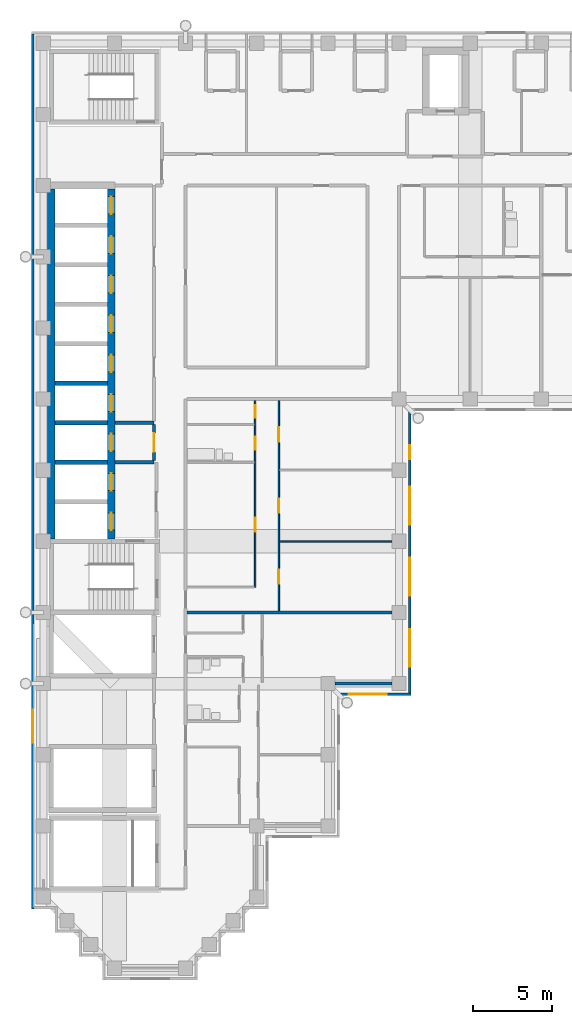
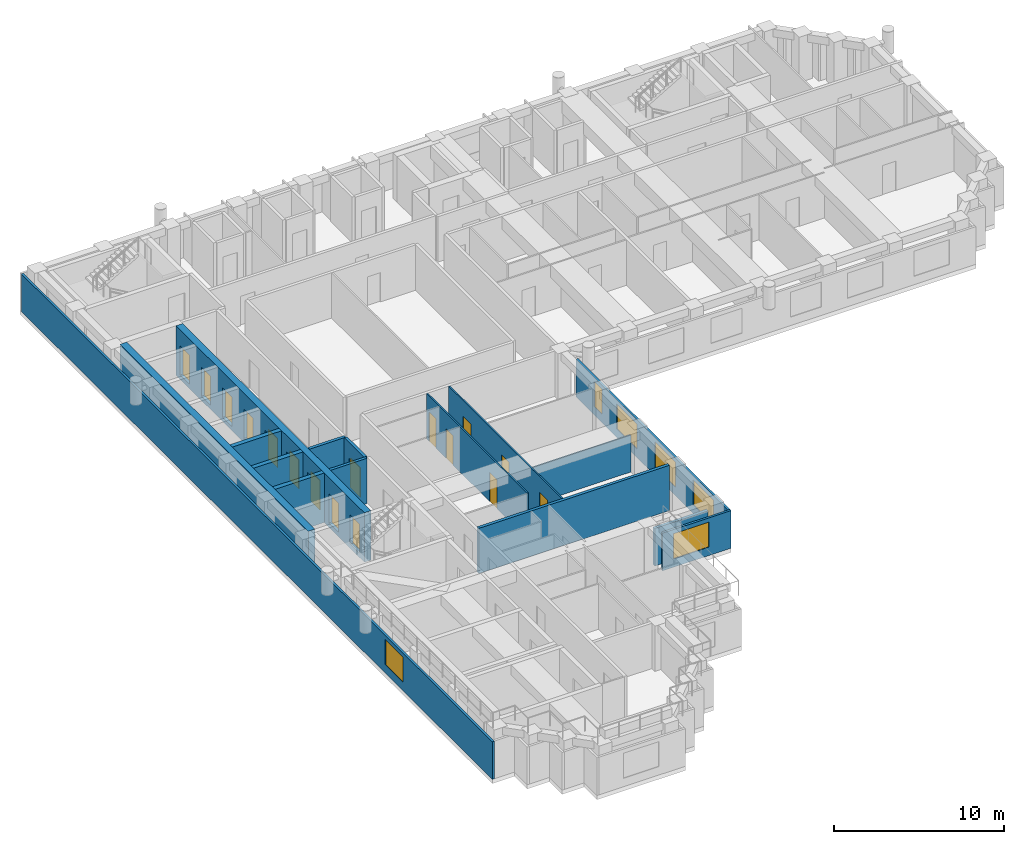
# One storey, part 4 of 11: 16 doors, 16 walls, 6 windows, 22 openings.
"""IFC4 building model written with IfcOpenShell, lengths in metres."""

from ifc_helpers import new_model, si_unit, direction, frame, frame_2d, origin, place, context, subcontext, project, spatial, rectangle, extrude, material, layer, layer_set, type_object, element, fill, save


model = new_model("IFC4")

# Units and contexts
model_context = context("Model", 3, precision=1e-05, world=origin(), true_north=direction((0.0, 1.0)))
body_context = subcontext(model_context, "Body", "Model", "MODEL_VIEW")
ifc_project = project(units=[si_unit("LENGTHUNIT", "METRE"), si_unit("AREAUNIT", "SQUARE_METRE"), si_unit("VOLUMEUNIT", "CUBIC_METRE"), si_unit("PLANEANGLEUNIT", "RADIAN"), si_unit("MASSUNIT", "GRAM", prefix="KILO")], contexts=[model_context])

# Site, building, storey
site_placement = place(None, origin())
site = spatial("IfcSite", under=ifc_project, at=site_placement, CompositionType="ELEMENT")
building_placement = place(site_placement, origin())
building = spatial("IfcBuilding", under=site, at=building_placement, Name="Firuza Court", CompositionType="ELEMENT")
storey_placement = place(building_placement, frame((0.0, 0.0, 207.800048828125)))
storey = spatial("IfcBuildingStorey", under=building, at=storey_placement, Name="L53", CompositionType="ELEMENT", Elevation=207.800048828125)

# Walls
ifc_material_1 = material(Name="Concrete C50/60", Category="concrete")
ifc_layer_1 = layer(ifc_material_1, 0.300048828125)
ifc_layer_set_1 = layer_set([ifc_layer_1], Name="Concrete C50/60")
wall_type_1 = type_object("IfcWallType", Name="Core wall 300 C50/60", PredefinedType="SHEAR", material=ifc_layer_set_1)
for number, where, z_axis, x_axis, name in (
    (1, (0.72509765625, 32.0, -0.300048828125), (0.0, 0.0, 1.0), (1.0, 0.0, 0.0), "Core wall lift shaft L53"),
    (2, (0.72509765625, 34.5, -0.300048828125), (0.0, 0.0, 1.0), (1.0, 0.0, 0.0), "Core wall lift shaft L53"),
    (3, (0.72509765625, 37.0, -0.300048828125), (0.0, 0.0, 1.0), (1.0, 0.0, 0.0), "Core wall lift shaft L53"),
):
    element("IfcWall", number, at=place(storey_placement, frame(where, z_axis=z_axis, x_axis=x_axis)), inside=storey, type_object=wall_type_1, Name=name, PredefinedType="SHEAR", context=body_context, shape_type="SweptSolid", body=[
        extrude(rectangle(XDim=3.349853515625, YDim=0.300048828125, at=frame_2d((1.6748046875, 0.0))), origin(), (0.0, 0.0, 1.0), 3.550048828125),
    ])
ifc_layer_2 = layer(ifc_material_1, 0.449951171875)
ifc_layer_set_2 = layer_set([ifc_layer_2], Name="Concrete C50/60")
wall_type_2 = type_object("IfcWallType", Name="Core wall 450 C50/60", PredefinedType="SHEAR", material=ifc_layer_set_2)
wall_1_placement = place(storey_placement, frame((0.5, 27.14990234375, -0.300048828125), z_axis=(0.0, 0.0, 1.0), x_axis=(0.0, 1.0, 0.0)))
element("IfcWall", 4, at=wall_1_placement, inside=storey, type_object=wall_type_2, Name="Core wall lift shaft L53", PredefinedType="SHEAR", context=body_context, shape_type="SweptSolid", body=[
    extrude(rectangle(XDim=22.125, YDim=0.449951171875, at=frame_2d((11.0625, 0.0))), origin(), (0.0, 0.0, 1.0), 3.550048828125),
])

# Wall, openings, doors
wall_2_placement = place(storey_placement, frame((4.300048828125, 27.14990234375, -0.300048828125), z_axis=(0.0, 0.0, 1.0), x_axis=(0.0, 1.0, 0.0)))
wall_2 = element("IfcWall", 5, at=wall_2_placement, inside=storey, type_object=wall_type_2, Name="Core wall lift shaft L53", PredefinedType="SHEAR", context=body_context, shape_type="SweptSolid", body=[
    extrude(rectangle(XDim=22.125, YDim=0.449951171875, at=frame_2d((11.0625, 0.0))), origin(), (0.0, 0.0, 1.0), 3.550048828125),
])
opening_1_placement = place(wall_2_placement, frame((3.050048828125, 0.0, 0.300048828125)))
opening_1 = element("IfcOpeningElement", 6, at=opening_1_placement, cuts=wall_2, Name="Opening LD-FL1-53", PredefinedType="OPENING", context=body_context, shape_type="SweptSolid", body=[
    extrude(rectangle(XDim=1.10009765625, YDim=2.10009765625, at=frame_2d((0.550048828125, 1.050048828125))), frame((0.0, 0.23681640625, 0.0), z_axis=(0.0, -1.0, 0.0), x_axis=(1.0, 0.0, 0.0)), (0.0, 0.0, 1.0), 0.473876953125),
])
opening_2_placement = place(wall_2_placement, frame((0.550048828125, 0.0, 0.300048828125)))
opening_2 = element("IfcOpeningElement", 7, at=opening_2_placement, cuts=wall_2, Name="Opening LD-FL2-53", PredefinedType="OPENING", context=body_context, shape_type="SweptSolid", body=[
    extrude(rectangle(XDim=1.10009765625, YDim=2.10009765625, at=frame_2d((0.550048828125, 1.050048828125))), frame((0.0, 0.23681640625, 0.0), z_axis=(0.0, -1.0, 0.0), x_axis=(1.0, 0.0, 0.0)), (0.0, 0.0, 1.0), 0.473876953125),
])
opening_3_placement = place(wall_2_placement, frame((20.550048828125, 0.0, 0.300048828125)))
opening_3 = element("IfcOpeningElement", 8, at=opening_3_placement, cuts=wall_2, Name="Opening LD-HB1-53", PredefinedType="OPENING", context=body_context, shape_type="SweptSolid", body=[
    extrude(rectangle(XDim=1.10009765625, YDim=2.10009765625, at=frame_2d((0.550048828125, 1.050048828125))), frame((0.0, 0.23681640625, 0.0), z_axis=(0.0, -1.0, 0.0), x_axis=(1.0, 0.0, 0.0)), (0.0, 0.0, 1.0), 0.473876953125),
])
opening_4_placement = place(wall_2_placement, frame((18.050048828125, 0.0, 0.300048828125)))
opening_4 = element("IfcOpeningElement", 9, at=opening_4_placement, cuts=wall_2, Name="Opening LD-HB2-53", PredefinedType="OPENING", context=body_context, shape_type="SweptSolid", body=[
    extrude(rectangle(XDim=1.10009765625, YDim=2.10009765625, at=frame_2d((0.550048828125, 1.050048828125))), frame((0.0, 0.23681640625, 0.0), z_axis=(0.0, -1.0, 0.0), x_axis=(1.0, 0.0, 0.0)), (0.0, 0.0, 1.0), 0.473876953125),
])
opening_5_placement = place(wall_2_placement, frame((15.550048828125, 0.0, 0.300048828125)))
opening_5 = element("IfcOpeningElement", 10, at=opening_5_placement, cuts=wall_2, Name="Opening LD-HB3-53", PredefinedType="OPENING", context=body_context, shape_type="SweptSolid", body=[
    extrude(rectangle(XDim=1.10009765625, YDim=2.10009765625, at=frame_2d((0.550048828125, 1.050048828125))), frame((0.0, 0.23681640625, 0.0), z_axis=(0.0, -1.0, 0.0), x_axis=(1.0, 0.0, 0.0)), (0.0, 0.0, 1.0), 0.473876953125),
])
opening_6_placement = place(wall_2_placement, frame((13.050048828125, 0.0, 0.300048828125)))
opening_6 = element("IfcOpeningElement", 11, at=opening_6_placement, cuts=wall_2, Name="Opening LD-HB4-53", PredefinedType="OPENING", context=body_context, shape_type="SweptSolid", body=[
    extrude(rectangle(XDim=1.10009765625, YDim=2.10009765625, at=frame_2d((0.550048828125, 1.050048828125))), frame((0.0, 0.23681640625, 0.0), z_axis=(0.0, -1.0, 0.0), x_axis=(1.0, 0.0, 0.0)), (0.0, 0.0, 1.0), 0.473876953125),
])
opening_7_placement = place(wall_2_placement, frame((10.550048828125, 0.0, 0.300048828125)))
opening_7 = element("IfcOpeningElement", 12, at=opening_7_placement, cuts=wall_2, Name="Opening LD-HB5-53", PredefinedType="OPENING", context=body_context, shape_type="SweptSolid", body=[
    extrude(rectangle(XDim=1.10009765625, YDim=2.10009765625, at=frame_2d((0.550048828125, 1.050048828125))), frame((0.0, 0.23681640625, 0.0), z_axis=(0.0, -1.0, 0.0), x_axis=(1.0, 0.0, 0.0)), (0.0, 0.0, 1.0), 0.473876953125),
])
opening_8_placement = place(wall_2_placement, frame((8.050048828125, 0.0, 0.300048828125)))
opening_8 = element("IfcOpeningElement", 13, at=opening_8_placement, cuts=wall_2, Name="Opening LD-HB6-53", PredefinedType="OPENING", context=body_context, shape_type="SweptSolid", body=[
    extrude(rectangle(XDim=1.10009765625, YDim=2.10009765625, at=frame_2d((0.550048828125, 1.050048828125))), frame((0.0, 0.23681640625, 0.0), z_axis=(0.0, -1.0, 0.0), x_axis=(1.0, 0.0, 0.0)), (0.0, 0.0, 1.0), 0.473876953125),
])
opening_9_placement = place(wall_2_placement, frame((5.550048828125, 0.0, 0.300048828125)))
opening_9 = element("IfcOpeningElement", 14, at=opening_9_placement, cuts=wall_2, Name="Opening LD-SL1-53", PredefinedType="OPENING", context=body_context, shape_type="SweptSolid", body=[
    extrude(rectangle(XDim=1.10009765625, YDim=2.10009765625, at=frame_2d((0.550048828125, 1.050048828125))), frame((0.0, 0.23681640625, 0.0), z_axis=(0.0, -1.0, 0.0), x_axis=(1.0, 0.0, 0.0)), (0.0, 0.0, 1.0), 0.473876953125),
])
ifc_material_2 = material(Name="Stainless steel 1.4301 door leaf", Category="steel")
door_type_1 = type_object("IfcDoorType", Name="Lift landing door 1100", OperationType="SLIDING_TO_LEFT", PredefinedType="DOOR", material=ifc_material_2)
door_1_placement = place(opening_1_placement, origin())
door_1 = element("IfcDoor", 15, at=door_1_placement, inside=storey, type_object=door_type_1, Name="Landing door FL1", OperationType="SLIDING_TO_LEFT", OverallHeight=2.10009765625, OverallWidth=1.10009765625, PredefinedType="DOOR", context=body_context, shape_type="SweptSolid", body=[
    extrude(rectangle(XDim=1.10009765625, YDim=2.10009765625, at=frame_2d((0.550048828125, 1.050048828125))), frame((0.0, 0.02490234375, 0.0), z_axis=(0.0, -1.0, 0.0), x_axis=(1.0, 0.0, 0.0)), (0.0, 0.0, 1.0), 0.050048828125),
])
fill(opening_1, door_1)
door_2_placement = place(opening_2_placement, origin())
door_2 = element("IfcDoor", 16, at=door_2_placement, inside=storey, type_object=door_type_1, Name="Landing door FL2", OperationType="SLIDING_TO_LEFT", OverallHeight=2.10009765625, OverallWidth=1.10009765625, PredefinedType="DOOR", context=body_context, shape_type="SweptSolid", body=[
    extrude(rectangle(XDim=1.10009765625, YDim=2.10009765625, at=frame_2d((0.550048828125, 1.050048828125))), frame((0.0, 0.02490234375, 0.0), z_axis=(0.0, -1.0, 0.0), x_axis=(1.0, 0.0, 0.0)), (0.0, 0.0, 1.0), 0.050048828125),
])
fill(opening_2, door_2)
door_3_placement = place(opening_3_placement, origin())
door_3 = element("IfcDoor", 17, at=door_3_placement, inside=storey, type_object=door_type_1, Name="Landing door HB1", OperationType="SLIDING_TO_LEFT", OverallHeight=2.10009765625, OverallWidth=1.10009765625, PredefinedType="DOOR", context=body_context, shape_type="SweptSolid", body=[
    extrude(rectangle(XDim=1.10009765625, YDim=2.10009765625, at=frame_2d((0.550048828125, 1.050048828125))), frame((0.0, 0.02490234375, 0.0), z_axis=(0.0, -1.0, 0.0), x_axis=(1.0, 0.0, 0.0)), (0.0, 0.0, 1.0), 0.050048828125),
])
fill(opening_3, door_3)
door_4_placement = place(opening_4_placement, origin())
door_4 = element("IfcDoor", 18, at=door_4_placement, inside=storey, type_object=door_type_1, Name="Landing door HB2", OperationType="SLIDING_TO_LEFT", OverallHeight=2.10009765625, OverallWidth=1.10009765625, PredefinedType="DOOR", context=body_context, shape_type="SweptSolid", body=[
    extrude(rectangle(XDim=1.10009765625, YDim=2.10009765625, at=frame_2d((0.550048828125, 1.050048828125))), frame((0.0, 0.02490234375, 0.0), z_axis=(0.0, -1.0, 0.0), x_axis=(1.0, 0.0, 0.0)), (0.0, 0.0, 1.0), 0.050048828125),
])
fill(opening_4, door_4)
door_5_placement = place(opening_5_placement, origin())
door_5 = element("IfcDoor", 19, at=door_5_placement, inside=storey, type_object=door_type_1, Name="Landing door HB3", OperationType="SLIDING_TO_LEFT", OverallHeight=2.10009765625, OverallWidth=1.10009765625, PredefinedType="DOOR", context=body_context, shape_type="SweptSolid", body=[
    extrude(rectangle(XDim=1.10009765625, YDim=2.10009765625, at=frame_2d((0.550048828125, 1.050048828125))), frame((0.0, 0.02490234375, 0.0), z_axis=(0.0, -1.0, 0.0), x_axis=(1.0, 0.0, 0.0)), (0.0, 0.0, 1.0), 0.050048828125),
])
fill(opening_5, door_5)
door_6_placement = place(opening_6_placement, origin())
door_6 = element("IfcDoor", 20, at=door_6_placement, inside=storey, type_object=door_type_1, Name="Landing door HB4", OperationType="SLIDING_TO_LEFT", OverallHeight=2.10009765625, OverallWidth=1.10009765625, PredefinedType="DOOR", context=body_context, shape_type="SweptSolid", body=[
    extrude(rectangle(XDim=1.10009765625, YDim=2.10009765625, at=frame_2d((0.550048828125, 1.050048828125))), frame((0.0, 0.02490234375, 0.0), z_axis=(0.0, -1.0, 0.0), x_axis=(1.0, 0.0, 0.0)), (0.0, 0.0, 1.0), 0.050048828125),
])
fill(opening_6, door_6)
door_7_placement = place(opening_7_placement, origin())
door_7 = element("IfcDoor", 21, at=door_7_placement, inside=storey, type_object=door_type_1, Name="Landing door HB5", OperationType="SLIDING_TO_LEFT", OverallHeight=2.10009765625, OverallWidth=1.10009765625, PredefinedType="DOOR", context=body_context, shape_type="SweptSolid", body=[
    extrude(rectangle(XDim=1.10009765625, YDim=2.10009765625, at=frame_2d((0.550048828125, 1.050048828125))), frame((0.0, 0.02490234375, 0.0), z_axis=(0.0, -1.0, 0.0), x_axis=(1.0, 0.0, 0.0)), (0.0, 0.0, 1.0), 0.050048828125),
])
fill(opening_7, door_7)
door_8_placement = place(opening_8_placement, origin())
door_8 = element("IfcDoor", 22, at=door_8_placement, inside=storey, type_object=door_type_1, Name="Landing door HB6", OperationType="SLIDING_TO_LEFT", OverallHeight=2.10009765625, OverallWidth=1.10009765625, PredefinedType="DOOR", context=body_context, shape_type="SweptSolid", body=[
    extrude(rectangle(XDim=1.10009765625, YDim=2.10009765625, at=frame_2d((0.550048828125, 1.050048828125))), frame((0.0, 0.02490234375, 0.0), z_axis=(0.0, -1.0, 0.0), x_axis=(1.0, 0.0, 0.0)), (0.0, 0.0, 1.0), 0.050048828125),
])
fill(opening_8, door_8)
door_9_placement = place(opening_9_placement, origin())
door_9 = element("IfcDoor", 23, at=door_9_placement, inside=storey, type_object=door_type_1, Name="Landing door SL1", OperationType="SLIDING_TO_LEFT", OverallHeight=2.10009765625, OverallWidth=1.10009765625, PredefinedType="DOOR", context=body_context, shape_type="SweptSolid", body=[
    extrude(rectangle(XDim=1.10009765625, YDim=2.10009765625, at=frame_2d((0.550048828125, 1.050048828125))), frame((0.0, 0.02490234375, 0.0), z_axis=(0.0, -1.0, 0.0), x_axis=(1.0, 0.0, 0.0)), (0.0, 0.0, 1.0), 0.050048828125),
])
fill(opening_9, door_9)

ifc_material_3 = material(Name="Timber stud partition, plasterboard both sides", Category="wood")
ifc_layer_3 = layer(ifc_material_3, 0.10009765625)
ifc_layer_set_3 = layer_set([ifc_layer_3], Name="Timber stud partition, plasterboard both sides")
wall_type_3 = type_object("IfcWallType", Name="Partition wall 100", PredefinedType="PARTITIONING", material=ifc_layer_set_3)
wall_3_placement = place(storey_placement, frame((14.89990234375, 22.60009765625, 0.0), z_axis=(0.0, 0.0, 1.0), x_axis=(0.0, 1.0, 0.0)))
wall_3 = element("IfcWall", 24, at=wall_3_placement, inside=storey, type_object=wall_type_3, Name="Partition wall 100 L53", PredefinedType="PARTITIONING", context=body_context, shape_type="SweptSolid", body=[
    extrude(rectangle(XDim=13.2998046875, YDim=0.10009765625, at=frame_2d((6.64990234375, 0.0))), origin(), (0.0, 0.0, 1.0), 3.25),
])
opening_10_placement = place(wall_3_placement, frame((1.699951171875, 0.0, 0.0)))
opening_10 = element("IfcOpeningElement", 25, at=opening_10_placement, cuts=wall_3, Name="Opening D53028", PredefinedType="OPENING", context=body_context, shape_type="SweptSolid", body=[
    extrude(rectangle(XDim=0.89990234375, YDim=2.10009765625, at=frame_2d((0.449951171875, 1.050048828125))), frame((0.0, 0.06201171875, 0.0), z_axis=(0.0, -1.0, 0.0), x_axis=(1.0, 0.0, 0.0)), (0.0, 0.0, 1.0), 0.1240234375),
])
opening_11_placement = place(wall_3_placement, frame((6.199951171875, 0.0, 0.0)))
opening_11 = element("IfcOpeningElement", 26, at=opening_11_placement, cuts=wall_3, Name="Opening D53029", PredefinedType="OPENING", context=body_context, shape_type="SweptSolid", body=[
    extrude(rectangle(XDim=0.89990234375, YDim=2.10009765625, at=frame_2d((0.449951171875, 1.050048828125))), frame((0.0, 0.06201171875, 0.0), z_axis=(0.0, -1.0, 0.0), x_axis=(1.0, 0.0, 0.0)), (0.0, 0.0, 1.0), 0.1240234375),
])
opening_12_placement = place(wall_3_placement, frame((10.699951171875, 0.0, 0.0)))
opening_12 = element("IfcOpeningElement", 27, at=opening_12_placement, cuts=wall_3, Name="Opening D53030", PredefinedType="OPENING", context=body_context, shape_type="SweptSolid", body=[
    extrude(rectangle(XDim=0.89990234375, YDim=2.10009765625, at=frame_2d((0.449951171875, 1.050048828125))), frame((0.0, 0.06201171875, 0.0), z_axis=(0.0, -1.0, 0.0), x_axis=(1.0, 0.0, 0.0)), (0.0, 0.0, 1.0), 0.1240234375),
])
ifc_material_4 = material(Name="Timber door leaf in hardwood frame", Category="wood")
door_type_2 = type_object("IfcDoorType", Name="Room door 900", OperationType="SINGLE_SWING_LEFT", PredefinedType="DOOR", material=ifc_material_4)
door_10_placement = place(opening_10_placement, frame((0.89990234375, 0.0, 0.0), z_axis=(0.0, 0.0, 1.0), x_axis=(-1.0, 0.0, 0.0)))
door_10 = element("IfcDoor", 28, at=door_10_placement, inside=storey, type_object=door_type_2, Name="Living room door", OperationType="SINGLE_SWING_RIGHT", OverallHeight=2.10009765625, OverallWidth=0.89990234375, PredefinedType="DOOR", context=body_context, shape_type="SweptSolid", body=[
    extrude(rectangle(XDim=0.89990234375, YDim=2.10009765625, at=frame_2d((0.449951171875, 1.050048828125))), frame((0.0, 0.02490234375, 0.0), z_axis=(0.0, -1.0, 0.0), x_axis=(1.0, 0.0, 0.0)), (0.0, 0.0, 1.0), 0.050048828125),
])
fill(opening_10, door_10)
door_11_placement = place(opening_11_placement, frame((0.89990234375, 0.0, 0.0), z_axis=(0.0, 0.0, 1.0), x_axis=(-1.0, 0.0, 0.0)))
door_11 = element("IfcDoor", 29, at=door_11_placement, inside=storey, type_object=door_type_2, Name="Bedroom door", OperationType="SINGLE_SWING_RIGHT", OverallHeight=2.10009765625, OverallWidth=0.89990234375, PredefinedType="DOOR", context=body_context, shape_type="SweptSolid", body=[
    extrude(rectangle(XDim=0.89990234375, YDim=2.10009765625, at=frame_2d((0.449951171875, 1.050048828125))), frame((0.0, 0.02490234375, 0.0), z_axis=(0.0, -1.0, 0.0), x_axis=(1.0, 0.0, 0.0)), (0.0, 0.0, 1.0), 0.050048828125),
])
fill(opening_11, door_11)
door_12_placement = place(opening_12_placement, frame((0.89990234375, 0.0, 0.0), z_axis=(0.0, 0.0, 1.0), x_axis=(-1.0, 0.0, 0.0)))
door_12 = element("IfcDoor", 30, at=door_12_placement, inside=storey, type_object=door_type_2, Name="Bedroom door", OperationType="SINGLE_SWING_RIGHT", OverallHeight=2.10009765625, OverallWidth=0.89990234375, PredefinedType="DOOR", context=body_context, shape_type="SweptSolid", body=[
    extrude(rectangle(XDim=0.89990234375, YDim=2.10009765625, at=frame_2d((0.449951171875, 1.050048828125))), frame((0.0, 0.02490234375, 0.0), z_axis=(0.0, -1.0, 0.0), x_axis=(1.0, 0.0, 0.0)), (0.0, 0.0, 1.0), 0.050048828125),
])
fill(opening_12, door_12)

wall_4_placement = place(storey_placement, frame((13.39990234375, 24.10009765625, 0.0), z_axis=(0.0, 0.0, 1.0), x_axis=(0.0, 1.0, 0.0)))
wall_4 = element("IfcWall", 31, at=wall_4_placement, inside=storey, type_object=wall_type_3, Name="Partition wall 100 L53", PredefinedType="PARTITIONING", context=body_context, shape_type="SweptSolid", body=[
    extrude(rectangle(XDim=11.7998046875, YDim=0.10009765625, at=frame_2d((5.89990234375, 0.0))), origin(), (0.0, 0.0, 1.0), 3.25),
])
opening_13_placement = place(wall_4_placement, frame((8.699951171875, 0.0, 0.0)))
opening_13 = element("IfcOpeningElement", 32, at=opening_13_placement, cuts=wall_4, Name="Opening D53031", PredefinedType="OPENING", context=body_context, shape_type="SweptSolid", body=[
    extrude(rectangle(XDim=0.800048828125, YDim=2.10009765625, at=frame_2d((0.39990234375, 1.050048828125))), frame((0.0, 0.06201171875, 0.0), z_axis=(0.0, -1.0, 0.0), x_axis=(1.0, 0.0, 0.0)), (0.0, 0.0, 1.0), 0.1240234375),
])
opening_14_placement = place(wall_4_placement, frame((3.5, 0.0, 0.0)))
opening_14 = element("IfcOpeningElement", 33, at=opening_14_placement, cuts=wall_4, Name="Opening D53032", PredefinedType="OPENING", context=body_context, shape_type="SweptSolid", body=[
    extrude(rectangle(XDim=0.89990234375, YDim=2.10009765625, at=frame_2d((0.449951171875, 1.050048828125))), frame((0.0, 0.06201171875, 0.0), z_axis=(0.0, -1.0, 0.0), x_axis=(1.0, 0.0, 0.0)), (0.0, 0.0, 1.0), 0.1240234375),
])
opening_15_placement = place(wall_4_placement, frame((10.699951171875, 0.0, 0.0)))
opening_15 = element("IfcOpeningElement", 34, at=opening_15_placement, cuts=wall_4, Name="Opening D53033", PredefinedType="OPENING", context=body_context, shape_type="SweptSolid", body=[
    extrude(rectangle(XDim=0.800048828125, YDim=2.10009765625, at=frame_2d((0.39990234375, 1.050048828125))), frame((0.0, 0.06201171875, 0.0), z_axis=(0.0, -1.0, 0.0), x_axis=(1.0, 0.0, 0.0)), (0.0, 0.0, 1.0), 0.1240234375),
])
ifc_material_5 = material(Name="Timber door leaf in hardwood frame", Category="wood")
door_type_3 = type_object("IfcDoorType", Name="Bathroom door 800", OperationType="SINGLE_SWING_LEFT", PredefinedType="DOOR", material=ifc_material_5)
door_13_placement = place(opening_13_placement, origin())
door_13 = element("IfcDoor", 35, at=door_13_placement, inside=storey, type_object=door_type_3, Name="Bathroom door", OperationType="SINGLE_SWING_LEFT", OverallHeight=2.10009765625, OverallWidth=0.800048828125, PredefinedType="DOOR", context=body_context, shape_type="SweptSolid", body=[
    extrude(rectangle(XDim=0.800048828125, YDim=2.10009765625, at=frame_2d((0.39990234375, 1.050048828125))), frame((0.0, 0.02490234375, 0.0), z_axis=(0.0, -1.0, 0.0), x_axis=(1.0, 0.0, 0.0)), (0.0, 0.0, 1.0), 0.050048828125),
])
fill(opening_13, door_13)
ifc_material_6 = material(Name="Timber door leaf in hardwood frame", Category="wood")
door_type_4 = type_object("IfcDoorType", Name="Room door 800", OperationType="SINGLE_SWING_LEFT", PredefinedType="DOOR", material=ifc_material_6)
door_14_placement = place(opening_15_placement, origin())
door_14 = element("IfcDoor", 36, at=door_14_placement, inside=storey, type_object=door_type_4, Name="Store door", OperationType="SINGLE_SWING_LEFT", OverallHeight=2.10009765625, OverallWidth=0.800048828125, PredefinedType="DOOR", context=body_context, shape_type="SweptSolid", body=[
    extrude(rectangle(XDim=0.800048828125, YDim=2.10009765625, at=frame_2d((0.39990234375, 1.050048828125))), frame((0.0, 0.02490234375, 0.0), z_axis=(0.0, -1.0, 0.0), x_axis=(1.0, 0.0, 0.0)), (0.0, 0.0, 1.0), 0.050048828125),
])
fill(opening_15, door_14)
door_15_placement = place(opening_14_placement, origin())
door_15 = element("IfcDoor", 37, at=door_15_placement, inside=storey, type_object=door_type_2, Name="Kitchen door", OperationType="SINGLE_SWING_LEFT", OverallHeight=2.10009765625, OverallWidth=0.89990234375, PredefinedType="DOOR", context=body_context, shape_type="SweptSolid", body=[
    extrude(rectangle(XDim=0.89990234375, YDim=2.10009765625, at=frame_2d((0.449951171875, 1.050048828125))), frame((0.0, 0.02490234375, 0.0), z_axis=(0.0, -1.0, 0.0), x_axis=(1.0, 0.0, 0.0)), (0.0, 0.0, 1.0), 0.050048828125),
])
fill(opening_14, door_15)

# Walls
wall_5_placement = place(storey_placement, frame((14.949951171875, 27.0, 0.0), z_axis=(0.0, 0.0, 1.0), x_axis=(1.0, 0.0, 0.0)))
element("IfcWall", 38, at=wall_5_placement, inside=storey, type_object=wall_type_3, Name="Partition wall 100 L53", PredefinedType="PARTITIONING", context=body_context, shape_type="SweptSolid", body=[
    extrude(rectangle(XDim=7.10009765625, YDim=0.10009765625, at=frame_2d((3.550048828125, 0.0))), origin(), (0.0, 0.0, 1.0), 2.64990234375),
])
ifc_material_7 = material(Name="Blockwork, plastered both sides", Category="masonry")
ifc_layer_4 = layer(ifc_material_7, 0.199951171875)
ifc_layer_set_4 = layer_set([ifc_layer_4], Name="Blockwork, plastered both sides")
wall_type_4 = type_object("IfcWallType", Name="Party wall 200", PredefinedType="PARTITIONING", material=ifc_layer_set_4)
wall_6_placement = place(storey_placement, frame((18.449951171875, 18.0, 0.0), z_axis=(0.0, 0.0, 1.0), x_axis=(1.0, 0.0, 0.0)))
element("IfcWall", 39, at=wall_6_placement, inside=storey, type_object=wall_type_4, Name="Party wall 200 L53", PredefinedType="PARTITIONING", context=body_context, shape_type="SweptSolid", body=[
    extrude(rectangle(XDim=3.60009765625, YDim=0.199951171875, at=frame_2d((1.800048828125, 0.0))), origin(), (0.0, 0.0, 1.0), 2.699951171875),
])
wall_7_placement = place(storey_placement, frame((9.10009765625, 22.5, 0.0), z_axis=(0.0, 0.0, 1.0), x_axis=(1.0, 0.0, 0.0)))
element("IfcWall", 40, at=wall_7_placement, inside=storey, type_object=wall_type_4, Name="Party wall 200 L53", PredefinedType="PARTITIONING", context=body_context, shape_type="SweptSolid", body=[
    extrude(rectangle(XDim=12.949951171875, YDim=0.199951171875, at=frame_2d((6.47509765625, 0.0))), origin(), (0.0, 0.0, 1.0), 3.25),
])

# Wall, opening, window
ifc_material_8 = material(Name="Ceramic tile", Category="ceramic")
ifc_layer_5 = layer(ifc_material_8, 0.02001953125)
ifc_material_9 = material(Name="Mineral wool insulation", Category="insulation")
ifc_layer_6 = layer(ifc_material_9, 0.050048828125)
ifc_material_10 = material(Name="Concrete C40/50 precast", Category="concrete")
ifc_layer_7 = layer(ifc_material_10, 0.080078125)
ifc_layer_set_5 = layer_set([ifc_layer_5, ifc_layer_6, ifc_layer_7], Name="Concrete C40/50 precast")
wall_type_5 = type_object("IfcWallType", Name="Precast cladding wall with turquoise TILE PANEL face 150", PredefinedType="STANDARD", material=ifc_layer_set_5)
wall_8_placement = place(storey_placement, frame((18.60009765625, 17.324951171875, 0.0), z_axis=(0.0, 0.0, 1.0), x_axis=(1.0, 0.0, 0.0)))
wall_8 = element("IfcWall", 41, at=wall_8_placement, inside=storey, type_object=wall_type_5, Name="Facade wall L53 S", PredefinedType="STANDARD", context=body_context, shape_type="SweptSolid", body=[
    extrude(rectangle(XDim=4.64990234375, YDim=0.14990234375, at=frame_2d((2.324951171875, 0.0))), origin(), (0.0, 0.0, 1.0), 2.699951171875),
])
opening_16_placement = place(wall_8_placement, frame((0.730712890625, 0.0, 0.60009765625)))
opening_16 = element("IfcOpeningElement", 42, at=opening_16_placement, cuts=wall_8, Name="Opening W1", PredefinedType="OPENING", context=body_context, shape_type="SweptSolid", body=[
    extrude(rectangle(XDim=2.39990234375, YDim=1.800048828125, at=frame_2d((1.199951171875, 0.89990234375))), frame((0.0, 0.0869140625, 0.0), z_axis=(0.0, -1.0, 0.0), x_axis=(1.0, 0.0, 0.0)), (0.0, 0.0, 1.0), 0.173828125),
])
ifc_material_11 = material(Name="Aluminium frame, triple clear glazing", Category="aluminium")
window_type_1 = type_object("IfcWindowType", Name="Window W1 2400 x 1800", PartitioningType="SINGLE_PANEL", PredefinedType="WINDOW", material=ifc_material_11)
window_1_placement = place(opening_16_placement, origin())
window_1 = element("IfcWindow", 43, at=window_1_placement, inside=storey, type_object=window_type_1, Name="Window L53", OverallHeight=1.800048828125, OverallWidth=2.39990234375, PartitioningType="SINGLE_PANEL", PredefinedType="WINDOW", context=body_context, shape_type="SweptSolid", body=[
    extrude(rectangle(XDim=2.39990234375, YDim=1.800048828125, at=frame_2d((1.199951171875, 0.89990234375))), frame((0.0, 0.030029296875, 0.0), z_axis=(0.0, -1.0, 0.0), x_axis=(1.0, 0.0, 0.0)), (0.0, 0.0, 1.0), 0.06005859375),
])
fill(opening_16, window_1)

# Wall, openings, windows
wall_9_placement = place(storey_placement, frame((23.175048828125, 17.39990234375, 0.0), z_axis=(0.0, 0.0, 1.0), x_axis=(0.0, 1.0, 0.0)))
wall_9 = element("IfcWall", 44, at=wall_9_placement, inside=storey, type_object=wall_type_5, Name="Facade wall L53 E", PredefinedType="STANDARD", context=body_context, shape_type="SweptSolid", body=[
    extrude(rectangle(XDim=17.85009765625, YDim=0.14990234375, at=frame_2d((8.925048828125, 0.0))), origin(), (0.0, 0.0, 1.0), 2.699951171875),
])
opening_17_placement = place(wall_9_placement, frame((1.64990234375, 0.0, 0.60009765625)))
opening_17 = element("IfcOpeningElement", 45, at=opening_17_placement, cuts=wall_9, Name="Opening W1", PredefinedType="OPENING", context=body_context, shape_type="SweptSolid", body=[
    extrude(rectangle(XDim=2.39990234375, YDim=1.800048828125, at=frame_2d((1.199951171875, 0.89990234375))), frame((0.0, 0.0869140625, 0.0), z_axis=(0.0, -1.0, 0.0), x_axis=(1.0, 0.0, 0.0)), (0.0, 0.0, 1.0), 0.173828125),
])
opening_18_placement = place(wall_9_placement, frame((6.14990234375, 0.0, 0.60009765625)))
opening_18 = element("IfcOpeningElement", 46, at=opening_18_placement, cuts=wall_9, Name="Opening W1", PredefinedType="OPENING", context=body_context, shape_type="SweptSolid", body=[
    extrude(rectangle(XDim=2.39990234375, YDim=1.800048828125, at=frame_2d((1.199951171875, 0.89990234375))), frame((0.0, 0.0869140625, 0.0), z_axis=(0.0, -1.0, 0.0), x_axis=(1.0, 0.0, 0.0)), (0.0, 0.0, 1.0), 0.173828125),
])
opening_19_placement = place(wall_9_placement, frame((10.64990234375, 0.0, 0.60009765625)))
opening_19 = element("IfcOpeningElement", 47, at=opening_19_placement, cuts=wall_9, Name="Opening W1", PredefinedType="OPENING", context=body_context, shape_type="SweptSolid", body=[
    extrude(rectangle(XDim=2.39990234375, YDim=1.800048828125, at=frame_2d((1.199951171875, 0.89990234375))), frame((0.0, 0.0869140625, 0.0), z_axis=(0.0, -1.0, 0.0), x_axis=(1.0, 0.0, 0.0)), (0.0, 0.0, 1.0), 0.173828125),
])
opening_20_placement = place(wall_9_placement, frame((14.78662109375, 0.0, 0.60009765625)))
opening_20 = element("IfcOpeningElement", 48, at=opening_20_placement, cuts=wall_9, Name="Opening W3", PredefinedType="OPENING", context=body_context, shape_type="SweptSolid", body=[
    extrude(rectangle(XDim=0.89990234375, YDim=1.800048828125, at=frame_2d((0.449951171875, 0.89990234375))), frame((0.0, 0.0869140625, 0.0), z_axis=(0.0, -1.0, 0.0), x_axis=(1.0, 0.0, 0.0)), (0.0, 0.0, 1.0), 0.173828125),
])
window_2_placement = place(opening_17_placement, origin())
window_2 = element("IfcWindow", 49, at=window_2_placement, inside=storey, type_object=window_type_1, Name="Window L53", OverallHeight=1.800048828125, OverallWidth=2.39990234375, PartitioningType="SINGLE_PANEL", PredefinedType="WINDOW", context=body_context, shape_type="SweptSolid", body=[
    extrude(rectangle(XDim=2.39990234375, YDim=1.800048828125, at=frame_2d((1.199951171875, 0.89990234375))), frame((0.0, 0.030029296875, 0.0), z_axis=(0.0, -1.0, 0.0), x_axis=(1.0, 0.0, 0.0)), (0.0, 0.0, 1.0), 0.06005859375),
])
fill(opening_17, window_2)
window_3_placement = place(opening_18_placement, origin())
window_3 = element("IfcWindow", 50, at=window_3_placement, inside=storey, type_object=window_type_1, Name="Window L53", OverallHeight=1.800048828125, OverallWidth=2.39990234375, PartitioningType="SINGLE_PANEL", PredefinedType="WINDOW", context=body_context, shape_type="SweptSolid", body=[
    extrude(rectangle(XDim=2.39990234375, YDim=1.800048828125, at=frame_2d((1.199951171875, 0.89990234375))), frame((0.0, 0.030029296875, 0.0), z_axis=(0.0, -1.0, 0.0), x_axis=(1.0, 0.0, 0.0)), (0.0, 0.0, 1.0), 0.06005859375),
])
fill(opening_18, window_3)
window_4_placement = place(opening_19_placement, origin())
window_4 = element("IfcWindow", 51, at=window_4_placement, inside=storey, type_object=window_type_1, Name="Window L53", OverallHeight=1.800048828125, OverallWidth=2.39990234375, PartitioningType="SINGLE_PANEL", PredefinedType="WINDOW", context=body_context, shape_type="SweptSolid", body=[
    extrude(rectangle(XDim=2.39990234375, YDim=1.800048828125, at=frame_2d((1.199951171875, 0.89990234375))), frame((0.0, 0.030029296875, 0.0), z_axis=(0.0, -1.0, 0.0), x_axis=(1.0, 0.0, 0.0)), (0.0, 0.0, 1.0), 0.06005859375),
])
fill(opening_19, window_4)
ifc_material_12 = material(Name="Aluminium frame, triple clear glazing", Category="aluminium")
window_type_2 = type_object("IfcWindowType", Name="Window W3 900 x 1800", PartitioningType="SINGLE_PANEL", PredefinedType="WINDOW", material=ifc_material_12)
window_5_placement = place(opening_20_placement, origin())
window_5 = element("IfcWindow", 52, at=window_5_placement, inside=storey, type_object=window_type_2, Name="Window L53", OverallHeight=1.800048828125, OverallWidth=0.89990234375, PartitioningType="SINGLE_PANEL", PredefinedType="WINDOW", context=body_context, shape_type="SweptSolid", body=[
    extrude(rectangle(XDim=0.89990234375, YDim=1.800048828125, at=frame_2d((0.449951171875, 0.89990234375))), frame((0.0, 0.030029296875, 0.0), z_axis=(0.0, -1.0, 0.0), x_axis=(1.0, 0.0, 0.0)), (0.0, 0.0, 1.0), 0.06005859375),
])
fill(opening_20, window_5)

# Wall, opening, window
wall_10_placement = place(storey_placement, frame((-0.675048828125, 59.10009765625, 0.0), z_axis=(0.0, 0.0, 1.0), x_axis=(0.0, -1.0, 0.0)))
wall_10 = element("IfcWall", 53, at=wall_10_placement, inside=storey, type_object=wall_type_5, Name="Facade wall L53 W", PredefinedType="STANDARD", context=body_context, shape_type="SweptSolid", body=[
    extrude(rectangle(XDim=55.35009765625, YDim=0.14990234375, at=frame_2d((27.675048828125, 0.0))), origin(), (0.0, 0.0, 1.0), 2.699951171875),
])
opening_21_placement = place(wall_10_placement, frame((42.758056640625, 0.0, 0.60009765625)))
opening_21 = element("IfcOpeningElement", 54, at=opening_21_placement, cuts=wall_10, Name="Opening W6", PredefinedType="OPENING", context=body_context, shape_type="SweptSolid", body=[
    extrude(rectangle(XDim=2.10009765625, YDim=1.800048828125, at=frame_2d((1.050048828125, 0.89990234375))), frame((0.0, 0.0869140625, 0.0), z_axis=(0.0, -1.0, 0.0), x_axis=(1.0, 0.0, 0.0)), (0.0, 0.0, 1.0), 0.173828125),
])
ifc_material_13 = material(Name="Aluminium frame, triple clear glazing", Category="aluminium")
window_type_3 = type_object("IfcWindowType", Name="Window W6 2100 x 1800", PartitioningType="SINGLE_PANEL", PredefinedType="WINDOW", material=ifc_material_13)
window_6_placement = place(opening_21_placement, origin())
window_6 = element("IfcWindow", 55, at=window_6_placement, inside=storey, type_object=window_type_3, Name="Window L53", OverallHeight=1.800048828125, OverallWidth=2.10009765625, PartitioningType="SINGLE_PANEL", PredefinedType="WINDOW", context=body_context, shape_type="SweptSolid", body=[
    extrude(rectangle(XDim=2.10009765625, YDim=1.800048828125, at=frame_2d((1.050048828125, 0.89990234375))), frame((0.0, 0.030029296875, 0.0), z_axis=(0.0, -1.0, 0.0), x_axis=(1.0, 0.0, 0.0)), (0.0, 0.0, 1.0), 0.06005859375),
])
fill(opening_21, window_6)

# Walls
ifc_material_14 = material(Name="Blockwork, fire-rated", Category="masonry")
ifc_layer_8 = layer(ifc_material_14, 0.199951171875)
ifc_layer_set_6 = layer_set([ifc_layer_8], Name="Blockwork, fire-rated")
wall_type_6 = type_object("IfcWallType", Name="Shaft wall 200", PredefinedType="PARTITIONING", material=ifc_layer_set_6)
for number, where, z_axis, x_axis, name in (
    (56, (4.544921875, 34.5, 0.0), (0.0, 0.0, 1.0), (1.0, 0.0, 0.0), "Shaft wall 200 L53"),
    (57, (4.544921875, 32.0, 0.0), (0.0, 0.0, 1.0), (1.0, 0.0, 0.0), "Shaft wall 200 L53"),
):
    element("IfcWall", number, at=place(storey_placement, frame(where, z_axis=z_axis, x_axis=x_axis)), inside=storey, type_object=wall_type_6, Name=name, PredefinedType="PARTITIONING", context=body_context, shape_type="SweptSolid", body=[
        extrude(rectangle(XDim=2.455078125, YDim=0.199951171875, at=frame_2d((1.2275390625, 0.0))), origin(), (0.0, 0.0, 1.0), 3.25),
    ])

# Wall, opening, door
wall_11_placement = place(storey_placement, frame((7.0, 32.10009765625, 0.0), z_axis=(0.0, 0.0, 1.0), x_axis=(0.0, 1.0, 0.0)))
wall_11 = element("IfcWall", 58, at=wall_11_placement, inside=storey, type_object=wall_type_6, Name="Shaft wall 200 L53", PredefinedType="PARTITIONING", context=body_context, shape_type="SweptSolid", body=[
    extrude(rectangle(XDim=2.2998046875, YDim=0.199951171875, at=frame_2d((1.14990234375, 0.0))), origin(), (0.0, 0.0, 1.0), 3.25),
])
opening_22_placement = place(wall_11_placement, frame((0.550048828125, 0.0, 0.0)))
opening_22 = element("IfcOpeningElement", 59, at=opening_22_placement, cuts=wall_11, Name="Opening D53007", PredefinedType="OPENING", context=body_context, shape_type="SweptSolid", body=[
    extrude(rectangle(XDim=1.199951171875, YDim=2.10009765625, at=frame_2d((0.60009765625, 1.050048828125))), frame((0.0, 0.11181640625, 0.0), z_axis=(0.0, -1.0, 0.0), x_axis=(1.0, 0.0, 0.0)), (0.0, 0.0, 1.0), 0.223876953125),
])
ifc_material_15 = material(Name="Timber door leaf in hardwood frame", Category="wood")
door_type_5 = type_object("IfcDoorType", Name="Lobby door 1200", OperationType="SINGLE_SWING_LEFT", PredefinedType="DOOR", material=ifc_material_15)
door_16_placement = place(opening_22_placement, origin())
door_16 = element("IfcDoor", 60, at=door_16_placement, inside=storey, type_object=door_type_5, Name="Lobby door", OperationType="SINGLE_SWING_LEFT", OverallHeight=2.10009765625, OverallWidth=1.199951171875, PredefinedType="DOOR", context=body_context, shape_type="SweptSolid", body=[
    extrude(rectangle(XDim=1.199951171875, YDim=2.10009765625, at=frame_2d((0.60009765625, 1.050048828125))), frame((0.0, 0.02490234375, 0.0), z_axis=(0.0, -1.0, 0.0), x_axis=(1.0, 0.0, 0.0)), (0.0, 0.0, 1.0), 0.050048828125),
])
fill(opening_22, door_16)

save(model, "model.ifc")
